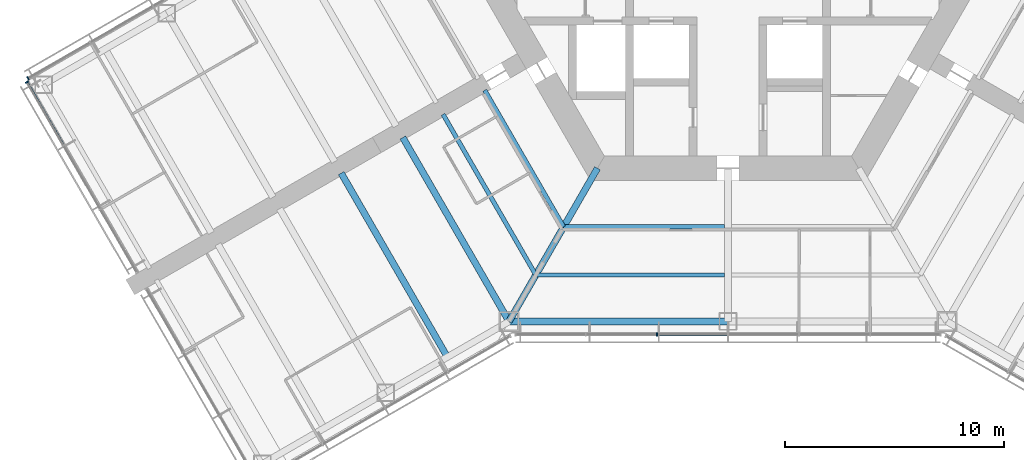
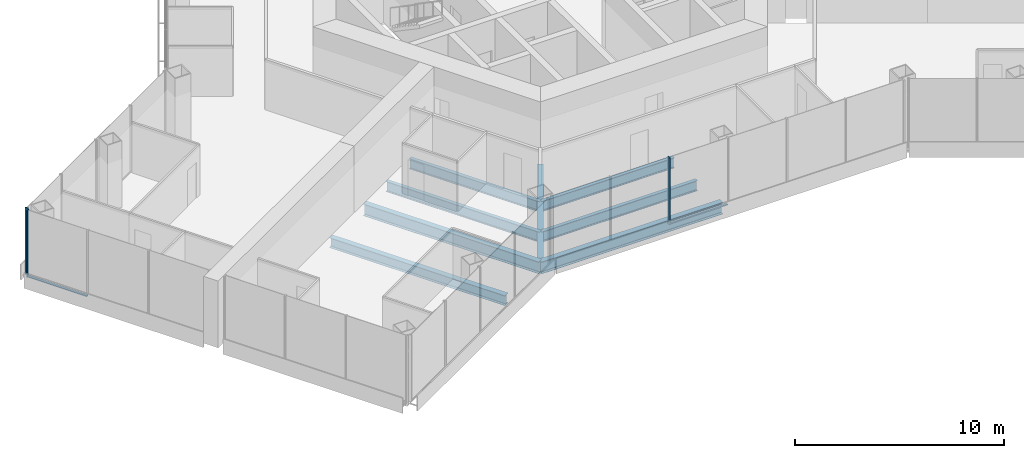
# One storey, part 3 of 18: 8 beams, 5 members, 3 elements without a shape of their own.
"""IFC4 building model written with IfcOpenShell, lengths in metres."""

from ifc_helpers import new_model, si_unit, direction, frame, origin, origin_2d, place, context, subcontext, project, spatial, rectangle, i_section, extrude, material, material_profile, profile_set, type_object, element, aggregate, save


model = new_model("IFC4")

# Units and contexts
model_context = context("Model", 3, precision=1e-05, world=origin(), true_north=direction((0.0, 1.0)))
body_context = subcontext(model_context, "Body", "Model", "MODEL_VIEW")
ifc_project = project(units=[si_unit("LENGTHUNIT", "METRE"), si_unit("AREAUNIT", "SQUARE_METRE"), si_unit("VOLUMEUNIT", "CUBIC_METRE"), si_unit("PLANEANGLEUNIT", "RADIAN"), si_unit("MASSUNIT", "GRAM", prefix="KILO")], contexts=[model_context])

# Site, building, storey
site_placement = place(None, origin())
site = spatial("IfcSite", under=ifc_project, at=site_placement, CompositionType="ELEMENT")
building_placement = place(site_placement, origin())
building = spatial("IfcBuilding", under=site, at=building_placement, Name="Kasaneha Research Tower", CompositionType="ELEMENT")
storey_placement = place(building_placement, frame((0.0, 0.0, 111.89990234375)))
storey = spatial("IfcBuildingStorey", under=building, at=storey_placement, Name="L28", CompositionType="ELEMENT", Elevation=111.89990234375)

# Beams
ifc_material_1 = material(Name="Steel SN490B", Category="steel")
ifc_material_profile_1 = material_profile(ifc_material_1, i_section(OverallWidth=0.199951171875, OverallDepth=0.60009765625, WebThickness=0.010986328125, FlangeThickness=0.01708984375, FilletRadius=0.012939453125, at=origin_2d()), Name="H-600x200x11x17")
ifc_profile_set_1 = profile_set([ifc_material_profile_1], Name="Steel SN490B")
beam_type_1 = type_object("IfcBeamType", Name="B1-3 secondary beam H-600x200x11x17", PredefinedType="JOIST", material=ifc_profile_set_1)
beam_1_placement = place(storey_placement, frame((-7.505615234375, -13.0, -0.449951171875), z_axis=(-0.499998147991, 0.86602647304, 0.0), x_axis=(-0.86602647304, -0.499998147991, 0.0)))
element("IfcBeam", 1, at=beam_1_placement, inside=storey, type_object=beam_type_1, Name="Secondary beam RS210R1 L28", PredefinedType="JOIST", context=body_context, shape_type="SweptSolid", body=[
    extrude(i_section(OverallWidth=0.199951171875, OverallDepth=0.60009765625, WebThickness=0.010986328125, FlangeThickness=0.01708984375, FilletRadius=0.012939453125, at=origin_2d()), origin(), (0.0, 0.0, 1.0), 7.20556640625),
])
beam_2_placement = place(storey_placement, frame((-8.775634765625, -15.199951171875, -0.449951171875), z_axis=(-0.500020829043, 0.866013377797, 0.0), x_axis=(-0.866013377797, -0.500020829043, 0.0)))
element("IfcBeam", 2, at=beam_2_placement, inside=storey, type_object=beam_type_1, Name="Secondary beam RS210R2 L28", PredefinedType="JOIST", context=body_context, shape_type="SweptSolid", body=[
    extrude(i_section(OverallWidth=0.199951171875, OverallDepth=0.60009765625, WebThickness=0.010986328125, FlangeThickness=0.01708984375, FilletRadius=0.012939453125, at=origin_2d()), origin(), (0.0, 0.0, 1.0), 8.475830078125),
])
beam_3_placement = place(storey_placement, frame((-7.505615234375, -13.0, -0.449951171875), z_axis=(1.0, 0.0, 0.0), x_axis=(0.0, 1.0, 0.0)))
element("IfcBeam", 3, at=beam_3_placement, inside=storey, type_object=beam_type_1, Name="Secondary beam RS270L1 L28", PredefinedType="JOIST", context=body_context, shape_type="SweptSolid", body=[
    extrude(i_section(OverallWidth=0.199951171875, OverallDepth=0.60009765625, WebThickness=0.010986328125, FlangeThickness=0.01708984375, FilletRadius=0.012939453125, at=origin_2d()), origin(), (0.0, 0.0, 1.0), 7.355712890625),
])
beam_4_placement = place(storey_placement, frame((-8.775634765625, -15.199951171875, -0.449951171875), z_axis=(1.0, 0.0, 0.0), x_axis=(0.0, 1.0, 0.0)))
element("IfcBeam", 4, at=beam_4_placement, inside=storey, type_object=beam_type_1, Name="Secondary beam RS270L2 L28", PredefinedType="JOIST", context=body_context, shape_type="SweptSolid", body=[
    extrude(i_section(OverallWidth=0.199951171875, OverallDepth=0.60009765625, WebThickness=0.010986328125, FlangeThickness=0.01708984375, FilletRadius=0.012939453125, at=origin_2d()), origin(), (0.0, 0.0, 1.0), 8.625732421875),
])
ifc_material_2 = material(Name="Steel SN490B", Category="steel")
ifc_material_profile_2 = material_profile(ifc_material_2, i_section(OverallWidth=0.300048828125, OverallDepth=0.58203125, WebThickness=0.011962890625, FlangeThickness=0.01708984375, FilletRadius=0.012939453125, at=origin_2d()), Name="H-582x300x12x17")
ifc_profile_set_2 = profile_set([ifc_material_profile_2], Name="Steel SN490B")
beam_type_2 = type_object("IfcBeamType", Name="B2-3 secondary beam H-582x300x12x17", PredefinedType="JOIST", material=ifc_profile_set_2)
beam_5_placement = place(storey_placement, frame((-12.814697265625, -18.945556640625, -0.44091796875), z_axis=(-0.499991164321, 0.866030505006, 0.0), x_axis=(-0.866030505006, -0.499991164321, 0.0)))
element("IfcBeam", 5, at=beam_5_placement, inside=storey, type_object=beam_type_2, Name="Secondary beam WBBN1 L28", PredefinedType="JOIST", context=body_context, shape_type="SweptSolid", body=[
    extrude(i_section(OverallWidth=0.300048828125, OverallDepth=0.58203125, WebThickness=0.011962890625, FlangeThickness=0.01708984375, FilletRadius=0.012939453125, at=origin_2d()), origin(), (0.0, 0.0, 1.0), 9.699951171875),
])

# Curtain wall, member
ifc_material_3 = material(Name="Glass and aluminium", Category="aluminium")
curtain_wall_type = type_object("IfcCurtainWallType", Name="Low-rise office curtain wall", PredefinedType="USERDEFINED", material=ifc_material_3)
curtain_wall_1_placement = place(storey_placement, origin())
curtain_wall_1 = element("IfcCurtainWall", 6, at=curtain_wall_1_placement, inside=storey, type_object=curtain_wall_type, Name="CW-O1 L28 run 02a", ObjectType="UNITISED CURTAIN WALL", PredefinedType="USERDEFINED")
ifc_material_4 = material(Name="Aluminium 6063-T6", Category="aluminium")
ifc_material_profile_3 = material_profile(ifc_material_4, rectangle(XDim=0.06005859375, YDim=0.159912109375, at=origin_2d()), Name="CW-O1 mullion 60x160")
ifc_profile_set_3 = profile_set([ifc_material_profile_3], Name="Aluminium 6063-T6")
member_type_1 = type_object("IfcMemberType", Name="CW-O1 mullion", PredefinedType="MULLION", material=ifc_profile_set_3)
member_1_placement = place(storey_placement, frame((-3.246337890625, -17.92041015625, 0.0), z_axis=(0.0, 0.0, 1.0), x_axis=(1.0, 0.0, 0.0)))
member_1 = element("IfcMember", 7, at=member_1_placement, type_object=member_type_1, Name="CW-O1 mullion 3", PredefinedType="MULLION", context=body_context, shape_type="SweptSolid", body=[
    extrude(rectangle(XDim=0.06005859375, YDim=0.159912109375, at=origin_2d()), origin(), (0.0, 0.0, 1.0), 3.900146484375),
])

curtain_wall_2_placement = place(storey_placement, origin())
curtain_wall_2 = element("IfcCurtainWall", 8, at=curtain_wall_2_placement, inside=storey, type_object=curtain_wall_type, Name="CW-O1 L28 run 13a", ObjectType="UNITISED CURTAIN WALL", PredefinedType="USERDEFINED")
member_2_placement = place(storey_placement, frame((-31.96533203125, -6.21533203125, 0.0), z_axis=(0.0, 0.0, 1.0), x_axis=(-0.866025411464, -0.499999986699, 0.0)))
member_2 = element("IfcMember", 9, at=member_2_placement, type_object=member_type_1, Name="CW-O1 mullion 5", PredefinedType="MULLION", context=body_context, shape_type="SweptSolid", body=[
    extrude(rectangle(XDim=0.06005859375, YDim=0.159912109375, at=origin_2d()), origin(), (0.0, 0.0, 1.0), 3.900146484375),
])
aggregate(curtain_wall_2, [member_2])

curtain_wall_3_placement = place(storey_placement, origin())
curtain_wall_3 = element("IfcCurtainWall", 10, at=curtain_wall_3_placement, inside=storey, type_object=curtain_wall_type, Name="CW-O1 L28 run 14a", ObjectType="UNITISED CURTAIN WALL", PredefinedType="USERDEFINED")
member_3_placement = place(storey_placement, frame((-32.012939453125, -6.39306640625, 0.0), z_axis=(0.0, 0.0, 1.0), x_axis=(0.500000011442, -0.866025397178, 0.0)))
member_3 = element("IfcMember", 11, at=member_3_placement, type_object=member_type_1, Name="CW-O1 mullion 1", PredefinedType="MULLION", context=body_context, shape_type="SweptSolid", body=[
    extrude(rectangle(XDim=0.06005859375, YDim=0.159912109375, at=origin_2d()), origin(), (0.0, 0.0, 1.0), 3.900146484375),
])

# Member
ifc_material_5 = material(Name="Aluminium 6063-T6", Category="aluminium")
ifc_material_profile_4 = material_profile(ifc_material_5, rectangle(XDim=0.1201171875, YDim=0.06005859375, at=origin_2d()), Name="CW-O1 transom 120x60")
ifc_profile_set_4 = profile_set([ifc_material_profile_4], Name="Aluminium 6063-T6")
member_type_2 = type_object("IfcMemberType", Name="CW-O1 transom", PredefinedType="USERDEFINED", material=ifc_profile_set_4)
member_4_placement = place(storey_placement, frame((-3.21630859375, -17.92041015625, 0.030029296875), z_axis=(1.0, 0.0, 0.0), x_axis=(0.0, 1.0, 0.0)))
member_4 = element("IfcMember", 12, at=member_4_placement, type_object=member_type_2, Name="CW-O1 transom 3", ObjectType="TRANSOM", PredefinedType="USERDEFINED", context=body_context, shape_type="SweptSolid", body=[
    extrude(rectangle(XDim=0.1201171875, YDim=0.06005859375, at=origin_2d()), origin(), (0.0, 0.0, 1.0), 3.186279296875),
])

aggregate(curtain_wall_1, [member_1, member_4])

member_5_placement = place(storey_placement, frame((-31.998046875, -6.4189453125, 0.030029296875), z_axis=(0.500025583411, -0.866010632691, 0.0), x_axis=(0.866010632691, 0.500025583411, 0.0)))
member_5 = element("IfcMember", 13, at=member_5_placement, type_object=member_type_2, Name="CW-O1 transom 1", ObjectType="TRANSOM", PredefinedType="USERDEFINED", context=body_context, shape_type="SweptSolid", body=[
    extrude(rectangle(XDim=0.1201171875, YDim=0.06005859375, at=origin_2d()), origin(), (0.0, 0.0, 1.0), 3.276611328125),
])

aggregate(curtain_wall_3, [member_3, member_5])

# Beams
ifc_material_6 = material(Name="Steel SN490B", Category="steel")
ifc_material_profile_5 = material_profile(ifc_material_6, i_section(OverallWidth=0.300048828125, OverallDepth=0.699951171875, WebThickness=0.012939453125, FlangeThickness=0.02392578125, FilletRadius=0.01806640625, at=origin_2d()), Name="H-700x300x13x24")
ifc_profile_set_5 = profile_set([ifc_material_profile_5], Name="Steel SN490B")
beam_type_3 = type_object("IfcBeamType", Name="G1-3 radial girder H-700x300x13x24", PredefinedType="BEAM", material=ifc_profile_set_5)
beam_6_placement = place(storey_placement, frame((-5.961181640625, -10.324951171875, -0.5), z_axis=(-0.49999105496, -0.866030568144, 0.0), x_axis=(0.866030568144, -0.49999105496, 0.0)))
element("IfcBeam", 14, at=beam_6_placement, inside=storey, type_object=beam_type_3, Name="Radial girder RV240 L28", PredefinedType="BEAM", context=body_context, shape_type="SweptSolid", body=[
    extrude(i_section(OverallWidth=0.300048828125, OverallDepth=0.699951171875, WebThickness=0.012939453125, FlangeThickness=0.02392578125, FilletRadius=0.01806640625, at=origin_2d()), origin(), (0.0, 0.0, 1.0), 8.077880859375),
])
ifc_material_7 = material(Name="Steel SN490B", Category="steel")
ifc_material_profile_6 = material_profile(ifc_material_7, i_section(OverallWidth=0.300048828125, OverallDepth=0.69189453125, WebThickness=0.012939453125, FlangeThickness=0.02001953125, FilletRadius=0.01806640625, at=origin_2d()), Name="H-692x300x13x20")
ifc_profile_set_6 = profile_set([ifc_material_profile_6], Name="Steel SN490B")
beam_type_4 = type_object("IfcBeamType", Name="G3-3 plate edge girder H-692x300x13x20", PredefinedType="BEAM", material=ifc_profile_set_6)
beam_7_placement = place(storey_placement, frame((-10.0, -17.320556640625, -0.495849609375), z_axis=(-0.500010041276, 0.866019606374, 0.0), x_axis=(-0.866019606374, -0.500010041276, 0.0)))
element("IfcBeam", 15, at=beam_7_placement, inside=storey, type_object=beam_type_4, Name="Plate edge girder PEBN L28", PredefinedType="BEAM", context=body_context, shape_type="SweptSolid", body=[
    extrude(i_section(OverallWidth=0.300048828125, OverallDepth=0.69189453125, WebThickness=0.012939453125, FlangeThickness=0.02001953125, FilletRadius=0.01806640625, at=origin_2d()), origin(), (0.0, 0.0, 1.0), 9.699951171875),
])
ifc_material_8 = material(Name="Steel SN490B", Category="steel")
ifc_material_profile_7 = material_profile(ifc_material_8, i_section(OverallWidth=0.300048828125, OverallDepth=0.69189453125, WebThickness=0.012939453125, FlangeThickness=0.02001953125, FilletRadius=0.01806640625, at=origin_2d()), Name="H-692x300x13x20")
ifc_profile_set_7 = profile_set([ifc_material_profile_7], Name="Steel SN490B")
beam_type_5 = type_object("IfcBeamType", Name="SB1-3 spandrel beam H-692x300x13x20", PredefinedType="SPANDREL", material=ifc_profile_set_7)
beam_8_placement = place(storey_placement, frame((-10.0, -17.320556640625, -0.495849609375), z_axis=(1.0, 0.0, 0.0), x_axis=(0.0, 1.0, 0.0)))
element("IfcBeam", 16, at=beam_8_placement, inside=storey, type_object=beam_type_5, Name="Spandrel beam SR270L L28", PredefinedType="SPANDREL", context=body_context, shape_type="SweptSolid", body=[
    extrude(i_section(OverallWidth=0.300048828125, OverallDepth=0.69189453125, WebThickness=0.012939453125, FlangeThickness=0.02001953125, FilletRadius=0.01806640625, at=origin_2d()), origin(), (0.0, 0.0, 1.0), 10.0),
])

save(model, "model.ifc")
